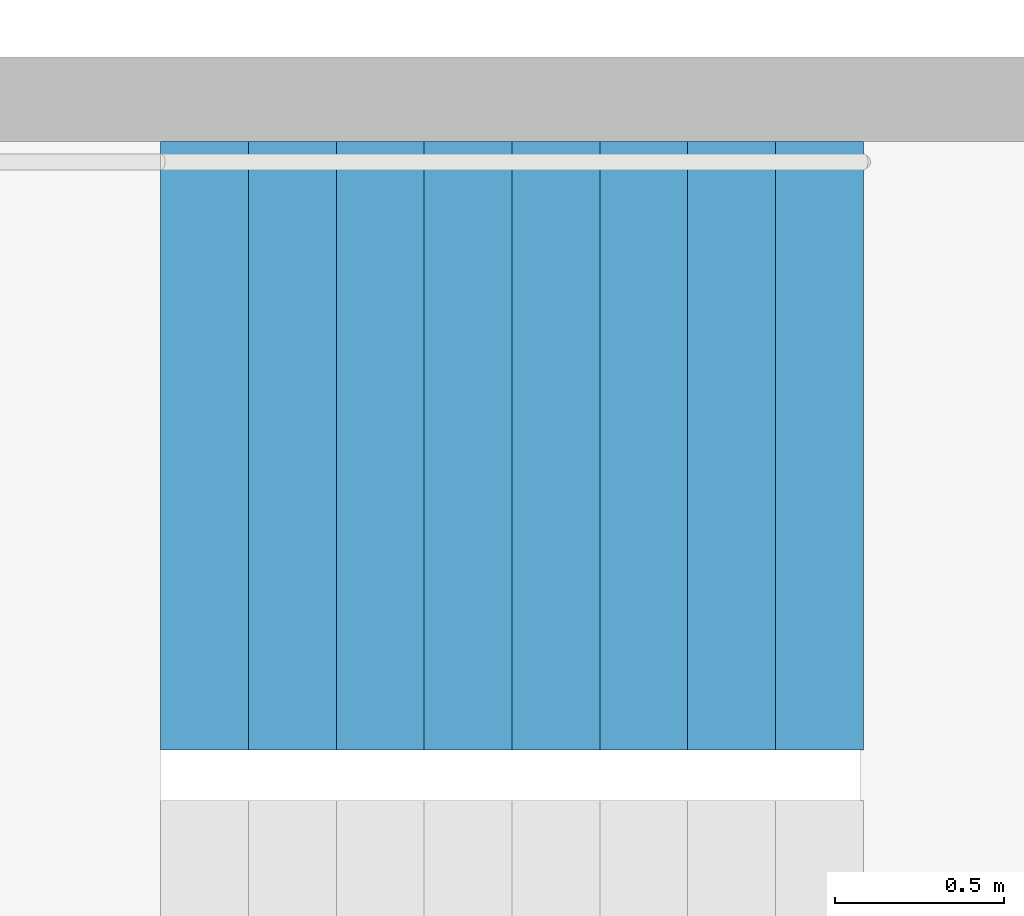
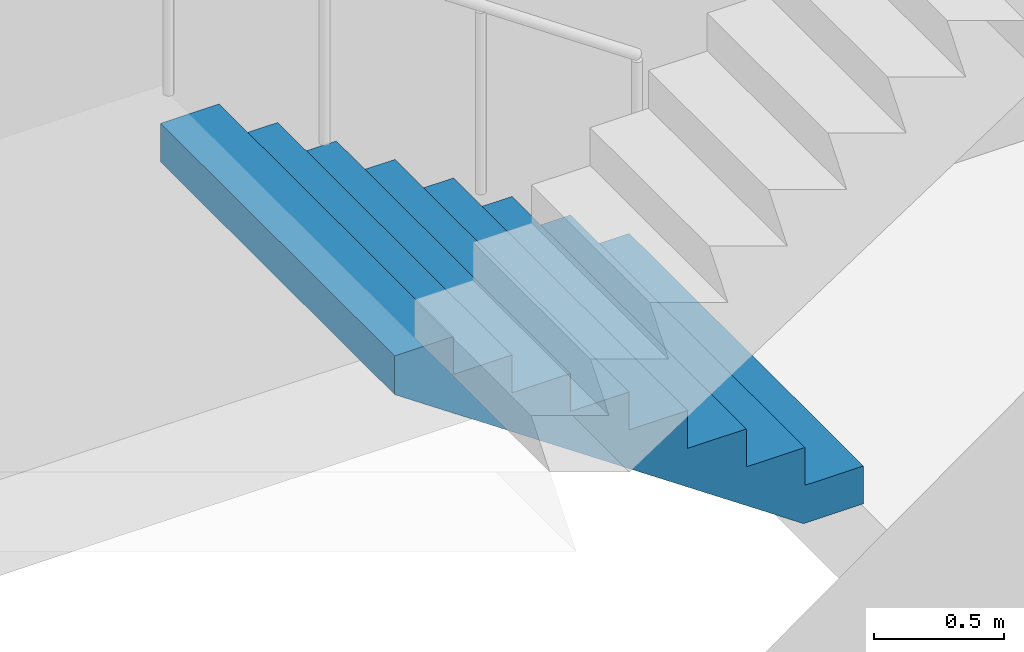
# One storey, part 20 of 32: 1 stair flight, 1 element without a shape of its own.
"""IFC4 building model written with IfcOpenShell, lengths in metres."""

from ifc_helpers import new_model, si_unit, direction, frame, origin, place, context, subcontext, project, spatial, triangles, material, type_object, element, aggregate, save


model = new_model("IFC4")

# Units and contexts
model_context = context("Model", 3, precision=1e-05, world=origin(), true_north=direction((0.0, 1.0)))
body_context = subcontext(model_context, "Body", "Model", "MODEL_VIEW")
ifc_project = project(units=[si_unit("LENGTHUNIT", "METRE"), si_unit("AREAUNIT", "SQUARE_METRE"), si_unit("VOLUMEUNIT", "CUBIC_METRE"), si_unit("PLANEANGLEUNIT", "RADIAN"), si_unit("MASSUNIT", "GRAM", prefix="KILO")], contexts=[model_context])

# Site, building, storey
site_placement = place(None, origin())
site = spatial("IfcSite", under=ifc_project, at=site_placement, CompositionType="ELEMENT")
building_placement = place(site_placement, origin())
building = spatial("IfcBuilding", under=site, at=building_placement, Name="Hakoniwa Tower and Hamabe Station Hall", CompositionType="ELEMENT")
storey_placement = place(building_placement, frame((0.0, 0.0, 150.199951171875)))
storey = spatial("IfcBuildingStorey", under=building, at=storey_placement, Name="L42", CompositionType="ELEMENT", Elevation=150.199951171875)

# Stair, stair flight
ifc_material_1 = material(Name="Concrete C40", Category="concrete")
stair_type = type_object("IfcStairType", Name="ESCAPE STAIR 1800", PredefinedType="HALF_TURN_STAIR", material=ifc_material_1)
stair_placement = place(storey_placement, origin())
stair = element("IfcStair", 1, at=stair_placement, inside=storey, type_object=stair_type, Name="Escape stair ST-2 L42", PredefinedType="HALF_TURN_STAIR")
ifc_material_2 = material(Name="Concrete C40", Category="concrete")
stair_flight_type = type_object("IfcStairFlightType", Name="STAIR FLIGHT 1800", PredefinedType="STRAIGHT", material=ifc_material_2)
stair_flight_placement = place(storey_placement, frame((-23.39990234375, -4.64990234375, 0.0), z_axis=(0.0, 0.0, 1.0), x_axis=(-1.0, 0.0, 0.0)))
stair_flight = element("IfcStairFlight", 2, at=stair_flight_placement, type_object=stair_flight_type, Name="ST-2 flight 1", NumberOfRisers=9, NumberOfTreads=8, PredefinedType="STRAIGHT", RiserHeight=0.177777778, TreadLength=0.26, context=body_context, shape_type="Tessellation", body=[
    triangles([(0.0, 0.89990234375, 0.0), (0.260009765625, 0.89990234375, 0.0), (0.265625, 0.89990234375, 0.0), (0.52001953125, 0.89990234375, 0.174072265625), (0.780029296875, 0.89990234375, 0.351806640625), (1.0400390625, 0.89990234375, 0.529541015625), (1.300048828125, 0.89990234375, 0.707275390625), (1.56005859375, 0.89990234375, 0.885009765625), (1.820068359375, 0.89990234375, 1.062744140625), (2.080078125, 0.89990234375, 1.24072265625), (2.080078125, 0.89990234375, 1.422119140625), (1.820068359375, 0.89990234375, 1.422119140625), (1.820068359375, 0.89990234375, 1.244384765625), (1.56005859375, 0.89990234375, 1.244384765625), (1.56005859375, 0.89990234375, 1.066650390625), (1.300048828125, 0.89990234375, 1.066650390625), (1.300048828125, 0.89990234375, 0.888916015625), (1.0400390625, 0.89990234375, 0.888916015625), (1.0400390625, 0.89990234375, 0.711181640625), (0.780029296875, 0.89990234375, 0.711181640625), (0.780029296875, 0.89990234375, 0.533447265625), (0.52001953125, 0.89990234375, 0.533447265625), (0.52001953125, 0.89990234375, 0.35546875), (0.265625, 0.89990234375, 0.35546875), (0.260009765625, 0.89990234375, 0.35546875), (0.260009765625, 0.89990234375, 0.177734375), (0.0, 0.89990234375, 0.177734375), (0.0, 0.06005859375, 0.0), (0.260009765625, 0.06005859375, 0.0), (0.265625, 0.06005859375, 0.0), (0.52001953125, 0.06005859375, 0.174072265625), (0.780029296875, 0.06005859375, 0.351806640625), (1.0400390625, 0.06005859375, 0.529541015625), (1.300048828125, 0.06005859375, 0.707275390625), (1.56005859375, 0.06005859375, 0.885009765625), (1.820068359375, 0.06005859375, 1.062744140625), (2.080078125, 0.06005859375, 1.24072265625), (2.080078125, 0.06005859375, 1.422119140625), (1.820068359375, 0.06005859375, 1.422119140625), (1.820068359375, 0.06005859375, 1.244384765625), (1.56005859375, 0.06005859375, 1.244384765625), (1.56005859375, 0.06005859375, 1.066650390625), (1.300048828125, 0.06005859375, 1.066650390625), (1.300048828125, 0.06005859375, 0.888916015625), (1.0400390625, 0.06005859375, 0.888916015625), (1.0400390625, 0.06005859375, 0.711181640625), (0.780029296875, 0.06005859375, 0.711181640625), (0.780029296875, 0.06005859375, 0.533447265625), (0.52001953125, 0.06005859375, 0.533447265625), (0.52001953125, 0.06005859375, 0.35546875), (0.265625, 0.06005859375, 0.35546875), (0.260009765625, 0.06005859375, 0.35546875), (0.260009765625, 0.06005859375, 0.177734375), (0.0, 0.06005859375, 0.177734375), (0.0, 0.04296875, 0.0), (0.260009765625, 0.04296875, 0.0), (0.265625, 0.04296875, 0.0), (0.52001953125, 0.04296875, 0.174072265625), (0.780029296875, 0.04296875, 0.351806640625), (1.0400390625, 0.04296875, 0.529541015625), (1.300048828125, 0.04296875, 0.707275390625), (1.56005859375, 0.04296875, 0.885009765625), (1.820068359375, 0.04296875, 1.062744140625), (2.080078125, 0.04296875, 1.24072265625), (2.080078125, 0.04296875, 1.422119140625), (1.820068359375, 0.04296875, 1.422119140625), (1.820068359375, 0.04296875, 1.244384765625), (1.56005859375, 0.04296875, 1.244384765625), (1.56005859375, 0.04296875, 1.066650390625), (1.300048828125, 0.04296875, 1.066650390625), (1.300048828125, 0.04296875, 0.888916015625), (1.0400390625, 0.04296875, 0.888916015625), (1.0400390625, 0.04296875, 0.711181640625), (0.780029296875, 0.04296875, 0.711181640625), (0.780029296875, 0.04296875, 0.533447265625), (0.52001953125, 0.04296875, 0.533447265625), (0.52001953125, 0.04296875, 0.35546875), (0.265625, 0.04296875, 0.35546875), (0.260009765625, 0.04296875, 0.35546875), (0.260009765625, 0.04296875, 0.177734375), (0.0, 0.04296875, 0.177734375), (0.0, 0.025634765625, 0.0), (0.260009765625, 0.025634765625, 0.0), (0.265625, 0.025634765625, 0.0), (0.52001953125, 0.025634765625, 0.174072265625), (0.780029296875, 0.025634765625, 0.351806640625), (1.0400390625, 0.025634765625, 0.529541015625), (1.300048828125, 0.025634765625, 0.707275390625), (1.56005859375, 0.025634765625, 0.885009765625), (1.820068359375, 0.025634765625, 1.062744140625), (2.080078125, 0.025634765625, 1.24072265625), (2.080078125, 0.025634765625, 1.422119140625), (1.820068359375, 0.025634765625, 1.422119140625), (1.820068359375, 0.025634765625, 1.244384765625), (1.56005859375, 0.025634765625, 1.244384765625), (1.56005859375, 0.025634765625, 1.066650390625), (1.300048828125, 0.025634765625, 1.066650390625), (1.300048828125, 0.025634765625, 0.888916015625), (1.0400390625, 0.025634765625, 0.888916015625), (1.0400390625, 0.025634765625, 0.711181640625), (0.780029296875, 0.025634765625, 0.711181640625), (0.780029296875, 0.025634765625, 0.533447265625), (0.52001953125, 0.025634765625, 0.533447265625), (0.52001953125, 0.025634765625, 0.35546875), (0.265625, 0.025634765625, 0.35546875), (0.260009765625, 0.025634765625, 0.35546875), (0.260009765625, 0.025634765625, 0.177734375), (0.0, 0.025634765625, 0.177734375), (0.0, 0.008544921875, 0.0), (0.260009765625, 0.008544921875, 0.0), (0.265625, 0.008544921875, 0.0), (0.52001953125, 0.008544921875, 0.174072265625), (0.780029296875, 0.008544921875, 0.351806640625), (1.0400390625, 0.008544921875, 0.529541015625), (1.300048828125, 0.008544921875, 0.707275390625), (1.56005859375, 0.008544921875, 0.885009765625), (1.820068359375, 0.008544921875, 1.062744140625), (2.080078125, 0.008544921875, 1.24072265625), (2.080078125, 0.008544921875, 1.422119140625), (1.820068359375, 0.008544921875, 1.422119140625), (1.820068359375, 0.008544921875, 1.244384765625), (1.56005859375, 0.008544921875, 1.244384765625), (1.56005859375, 0.008544921875, 1.066650390625), (1.300048828125, 0.008544921875, 1.066650390625), (1.300048828125, 0.008544921875, 0.888916015625), (1.0400390625, 0.008544921875, 0.888916015625), (1.0400390625, 0.008544921875, 0.711181640625), (0.780029296875, 0.008544921875, 0.711181640625), (0.780029296875, 0.008544921875, 0.533447265625), (0.52001953125, 0.008544921875, 0.533447265625), (0.52001953125, 0.008544921875, 0.35546875), (0.265625, 0.008544921875, 0.35546875), (0.260009765625, 0.008544921875, 0.35546875), (0.260009765625, 0.008544921875, 0.177734375), (0.0, 0.008544921875, 0.177734375), (0.0, -0.008544921875, 0.0), (0.260009765625, -0.008544921875, 0.0), (0.265625, -0.008544921875, 0.0), (0.52001953125, -0.008544921875, 0.174072265625), (0.780029296875, -0.008544921875, 0.351806640625), (1.0400390625, -0.008544921875, 0.529541015625), (1.300048828125, -0.008544921875, 0.707275390625), (1.56005859375, -0.008544921875, 0.885009765625), (1.820068359375, -0.008544921875, 1.062744140625), (2.080078125, -0.008544921875, 1.24072265625), (2.080078125, -0.008544921875, 1.422119140625), (1.820068359375, -0.008544921875, 1.422119140625), (1.820068359375, -0.008544921875, 1.244384765625), (1.56005859375, -0.008544921875, 1.244384765625), (1.56005859375, -0.008544921875, 1.066650390625), (1.300048828125, -0.008544921875, 1.066650390625), (1.300048828125, -0.008544921875, 0.888916015625), (1.0400390625, -0.008544921875, 0.888916015625), (1.0400390625, -0.008544921875, 0.711181640625), (0.780029296875, -0.008544921875, 0.711181640625), (0.780029296875, -0.008544921875, 0.533447265625), (0.52001953125, -0.008544921875, 0.533447265625), (0.52001953125, -0.008544921875, 0.35546875), (0.265625, -0.008544921875, 0.35546875), (0.260009765625, -0.008544921875, 0.35546875), (0.260009765625, -0.008544921875, 0.177734375), (0.0, -0.008544921875, 0.177734375), (0.0, -0.025634765625, 0.0), (0.260009765625, -0.025634765625, 0.0), (0.265625, -0.025634765625, 0.0), (0.52001953125, -0.025634765625, 0.174072265625), (0.780029296875, -0.025634765625, 0.351806640625), (1.0400390625, -0.025634765625, 0.529541015625), (1.300048828125, -0.025634765625, 0.707275390625), (1.56005859375, -0.025634765625, 0.885009765625), (1.820068359375, -0.025634765625, 1.062744140625), (2.080078125, -0.025634765625, 1.24072265625), (2.080078125, -0.025634765625, 1.422119140625), (1.820068359375, -0.025634765625, 1.422119140625), (1.820068359375, -0.025634765625, 1.244384765625), (1.56005859375, -0.025634765625, 1.244384765625), (1.56005859375, -0.025634765625, 1.066650390625), (1.300048828125, -0.025634765625, 1.066650390625), (1.300048828125, -0.025634765625, 0.888916015625), (1.0400390625, -0.025634765625, 0.888916015625), (1.0400390625, -0.025634765625, 0.711181640625), (0.780029296875, -0.025634765625, 0.711181640625), (0.780029296875, -0.025634765625, 0.533447265625), (0.52001953125, -0.025634765625, 0.533447265625), (0.52001953125, -0.025634765625, 0.35546875), (0.265625, -0.025634765625, 0.35546875), (0.260009765625, -0.025634765625, 0.35546875), (0.260009765625, -0.025634765625, 0.177734375), (0.0, -0.025634765625, 0.177734375), (0.0, -0.04296875, 0.0), (0.260009765625, -0.04296875, 0.0), (0.265625, -0.04296875, 0.0), (0.52001953125, -0.04296875, 0.174072265625), (0.780029296875, -0.04296875, 0.351806640625), (1.0400390625, -0.04296875, 0.529541015625), (1.300048828125, -0.04296875, 0.707275390625), (1.56005859375, -0.04296875, 0.885009765625), (1.820068359375, -0.04296875, 1.062744140625), (2.080078125, -0.04296875, 1.24072265625), (2.080078125, -0.04296875, 1.422119140625), (1.820068359375, -0.04296875, 1.422119140625), (1.820068359375, -0.04296875, 1.244384765625), (1.56005859375, -0.04296875, 1.244384765625), (1.56005859375, -0.04296875, 1.066650390625), (1.300048828125, -0.04296875, 1.066650390625), (1.300048828125, -0.04296875, 0.888916015625), (1.0400390625, -0.04296875, 0.888916015625), (1.0400390625, -0.04296875, 0.711181640625), (0.780029296875, -0.04296875, 0.711181640625), (0.780029296875, -0.04296875, 0.533447265625), (0.52001953125, -0.04296875, 0.533447265625), (0.52001953125, -0.04296875, 0.35546875), (0.265625, -0.04296875, 0.35546875), (0.260009765625, -0.04296875, 0.35546875), (0.260009765625, -0.04296875, 0.177734375), (0.0, -0.04296875, 0.177734375), (0.0, -0.06005859375, 0.0), (0.260009765625, -0.06005859375, 0.0), (0.265625, -0.06005859375, 0.0), (0.52001953125, -0.06005859375, 0.174072265625), (0.780029296875, -0.06005859375, 0.351806640625), (1.0400390625, -0.06005859375, 0.529541015625), (1.300048828125, -0.06005859375, 0.707275390625), (1.56005859375, -0.06005859375, 0.885009765625), (1.820068359375, -0.06005859375, 1.062744140625), (2.080078125, -0.06005859375, 1.24072265625), (2.080078125, -0.06005859375, 1.422119140625), (1.820068359375, -0.06005859375, 1.422119140625), (1.820068359375, -0.06005859375, 1.244384765625), (1.56005859375, -0.06005859375, 1.244384765625), (1.56005859375, -0.06005859375, 1.066650390625), (1.300048828125, -0.06005859375, 1.066650390625), (1.300048828125, -0.06005859375, 0.888916015625), (1.0400390625, -0.06005859375, 0.888916015625), (1.0400390625, -0.06005859375, 0.711181640625), (0.780029296875, -0.06005859375, 0.711181640625), (0.780029296875, -0.06005859375, 0.533447265625), (0.52001953125, -0.06005859375, 0.533447265625), (0.52001953125, -0.06005859375, 0.35546875), (0.265625, -0.06005859375, 0.35546875), (0.260009765625, -0.06005859375, 0.35546875), (0.260009765625, -0.06005859375, 0.177734375), (0.0, -0.06005859375, 0.177734375), (0.0, -0.89990234375, 0.0), (0.260009765625, -0.89990234375, 0.0), (0.265625, -0.89990234375, 0.0), (0.52001953125, -0.89990234375, 0.174072265625), (0.780029296875, -0.89990234375, 0.351806640625), (1.0400390625, -0.89990234375, 0.529541015625), (1.300048828125, -0.89990234375, 0.707275390625), (1.56005859375, -0.89990234375, 0.885009765625), (1.820068359375, -0.89990234375, 1.062744140625), (2.080078125, -0.89990234375, 1.24072265625), (2.080078125, -0.89990234375, 1.422119140625), (1.820068359375, -0.89990234375, 1.422119140625), (1.820068359375, -0.89990234375, 1.244384765625), (1.56005859375, -0.89990234375, 1.244384765625), (1.56005859375, -0.89990234375, 1.066650390625), (1.300048828125, -0.89990234375, 1.066650390625), (1.300048828125, -0.89990234375, 0.888916015625), (1.0400390625, -0.89990234375, 0.888916015625), (1.0400390625, -0.89990234375, 0.711181640625), (0.780029296875, -0.89990234375, 0.711181640625), (0.780029296875, -0.89990234375, 0.533447265625), (0.52001953125, -0.89990234375, 0.533447265625), (0.52001953125, -0.89990234375, 0.35546875), (0.265625, -0.89990234375, 0.35546875), (0.260009765625, -0.89990234375, 0.35546875), (0.260009765625, -0.89990234375, 0.177734375), (0.0, -0.89990234375, 0.177734375)], [[2, 27, 26], [245, 269, 270], [2, 1, 27], [245, 270, 244], [3, 25, 24], [246, 267, 268], [3, 26, 25], [246, 268, 269], [3, 2, 26], [246, 269, 245], [4, 24, 23], [247, 266, 267], [4, 3, 24], [247, 267, 246], [5, 22, 21], [248, 264, 265], [5, 23, 22], [248, 265, 266], [5, 4, 23], [248, 266, 247], [6, 20, 19], [249, 262, 263], [6, 21, 20], [249, 263, 264], [6, 5, 21], [249, 264, 248], [7, 18, 17], [250, 260, 261], [7, 19, 18], [250, 261, 262], [7, 6, 19], [250, 262, 249], [8, 16, 15], [251, 258, 259], [8, 17, 16], [251, 259, 260], [8, 7, 17], [251, 260, 250], [9, 14, 13], [252, 256, 257], [9, 15, 14], [252, 257, 258], [9, 8, 15], [252, 258, 251], [10, 12, 11], [253, 254, 255], [10, 13, 12], [253, 255, 256], [10, 9, 13], [253, 256, 252], [1, 2, 29], [1, 29, 28], [28, 29, 56], [28, 56, 55], [55, 56, 83], [55, 83, 82], [82, 83, 110], [82, 110, 109], [109, 110, 137], [109, 137, 136], [136, 137, 164], [136, 164, 163], [163, 164, 191], [163, 191, 190], [190, 191, 218], [190, 218, 217], [217, 218, 245], [217, 245, 244], [2, 3, 30], [2, 30, 29], [29, 30, 57], [29, 57, 56], [56, 57, 84], [56, 84, 83], [83, 84, 111], [83, 111, 110], [110, 111, 138], [110, 138, 137], [137, 138, 165], [137, 165, 164], [164, 165, 192], [164, 192, 191], [191, 192, 219], [191, 219, 218], [218, 219, 246], [218, 246, 245], [3, 4, 31], [3, 31, 30], [30, 31, 58], [30, 58, 57], [57, 58, 85], [57, 85, 84], [84, 85, 112], [84, 112, 111], [111, 112, 139], [111, 139, 138], [138, 139, 166], [138, 166, 165], [165, 166, 193], [165, 193, 192], [192, 193, 220], [192, 220, 219], [219, 220, 247], [219, 247, 246], [4, 5, 32], [4, 32, 31], [31, 32, 59], [31, 59, 58], [58, 59, 86], [58, 86, 85], [85, 86, 113], [85, 113, 112], [112, 113, 140], [112, 140, 139], [139, 140, 167], [139, 167, 166], [166, 167, 194], [166, 194, 193], [193, 194, 221], [193, 221, 220], [220, 221, 248], [220, 248, 247], [5, 6, 33], [5, 33, 32], [32, 33, 60], [32, 60, 59], [59, 60, 87], [59, 87, 86], [86, 87, 114], [86, 114, 113], [113, 114, 141], [113, 141, 140], [140, 141, 168], [140, 168, 167], [167, 168, 195], [167, 195, 194], [194, 195, 222], [194, 222, 221], [221, 222, 249], [221, 249, 248], [6, 7, 34], [6, 34, 33], [33, 34, 61], [33, 61, 60], [60, 61, 88], [60, 88, 87], [87, 88, 115], [87, 115, 114], [114, 115, 142], [114, 142, 141], [141, 142, 169], [141, 169, 168], [168, 169, 196], [168, 196, 195], [195, 196, 223], [195, 223, 222], [222, 223, 250], [222, 250, 249], [7, 8, 35], [7, 35, 34], [34, 35, 62], [34, 62, 61], [61, 62, 89], [61, 89, 88], [88, 89, 116], [88, 116, 115], [115, 116, 143], [115, 143, 142], [142, 143, 170], [142, 170, 169], [169, 170, 197], [169, 197, 196], [196, 197, 224], [196, 224, 223], [223, 224, 251], [223, 251, 250], [8, 9, 36], [8, 36, 35], [35, 36, 63], [35, 63, 62], [62, 63, 90], [62, 90, 89], [89, 90, 117], [89, 117, 116], [116, 117, 144], [116, 144, 143], [143, 144, 171], [143, 171, 170], [170, 171, 198], [170, 198, 197], [197, 198, 225], [197, 225, 224], [224, 225, 252], [224, 252, 251], [9, 10, 37], [9, 37, 36], [36, 37, 64], [36, 64, 63], [63, 64, 91], [63, 91, 90], [90, 91, 118], [90, 118, 117], [117, 118, 145], [117, 145, 144], [144, 145, 172], [144, 172, 171], [171, 172, 199], [171, 199, 198], [198, 199, 226], [198, 226, 225], [225, 226, 253], [225, 253, 252], [10, 11, 38], [10, 38, 37], [37, 38, 65], [37, 65, 64], [64, 65, 92], [64, 92, 91], [91, 92, 119], [91, 119, 118], [118, 119, 146], [118, 146, 145], [145, 146, 173], [145, 173, 172], [172, 173, 200], [172, 200, 199], [199, 200, 227], [199, 227, 226], [226, 227, 254], [226, 254, 253], [11, 12, 39], [11, 39, 38], [38, 39, 66], [38, 66, 65], [65, 66, 93], [65, 93, 92], [92, 93, 120], [92, 120, 119], [119, 120, 147], [119, 147, 146], [146, 147, 174], [146, 174, 173], [173, 174, 201], [173, 201, 200], [200, 201, 228], [200, 228, 227], [227, 228, 255], [227, 255, 254], [12, 13, 40], [12, 40, 39], [39, 40, 67], [39, 67, 66], [66, 67, 94], [66, 94, 93], [93, 94, 121], [93, 121, 120], [120, 121, 148], [120, 148, 147], [147, 148, 175], [147, 175, 174], [174, 175, 202], [174, 202, 201], [201, 202, 229], [201, 229, 228], [228, 229, 256], [228, 256, 255], [13, 14, 41], [13, 41, 40], [40, 41, 68], [40, 68, 67], [67, 68, 95], [67, 95, 94], [94, 95, 122], [94, 122, 121], [121, 122, 149], [121, 149, 148], [148, 149, 176], [148, 176, 175], [175, 176, 203], [175, 203, 202], [202, 203, 230], [202, 230, 229], [229, 230, 257], [229, 257, 256], [14, 15, 42], [14, 42, 41], [41, 42, 69], [41, 69, 68], [68, 69, 96], [68, 96, 95], [95, 96, 123], [95, 123, 122], [122, 123, 150], [122, 150, 149], [149, 150, 177], [149, 177, 176], [176, 177, 204], [176, 204, 203], [203, 204, 231], [203, 231, 230], [230, 231, 258], [230, 258, 257], [15, 16, 43], [15, 43, 42], [42, 43, 70], [42, 70, 69], [69, 70, 97], [69, 97, 96], [96, 97, 124], [96, 124, 123], [123, 124, 151], [123, 151, 150], [150, 151, 178], [150, 178, 177], [177, 178, 205], [177, 205, 204], [204, 205, 232], [204, 232, 231], [231, 232, 259], [231, 259, 258], [16, 17, 44], [16, 44, 43], [43, 44, 71], [43, 71, 70], [70, 71, 98], [70, 98, 97], [97, 98, 125], [97, 125, 124], [124, 125, 152], [124, 152, 151], [151, 152, 179], [151, 179, 178], [178, 179, 206], [178, 206, 205], [205, 206, 233], [205, 233, 232], [232, 233, 260], [232, 260, 259], [17, 18, 45], [17, 45, 44], [44, 45, 72], [44, 72, 71], [71, 72, 99], [71, 99, 98], [98, 99, 126], [98, 126, 125], [125, 126, 153], [125, 153, 152], [152, 153, 180], [152, 180, 179], [179, 180, 207], [179, 207, 206], [206, 207, 234], [206, 234, 233], [233, 234, 261], [233, 261, 260], [18, 19, 46], [18, 46, 45], [45, 46, 73], [45, 73, 72], [72, 73, 100], [72, 100, 99], [99, 100, 127], [99, 127, 126], [126, 127, 154], [126, 154, 153], [153, 154, 181], [153, 181, 180], [180, 181, 208], [180, 208, 207], [207, 208, 235], [207, 235, 234], [234, 235, 262], [234, 262, 261], [19, 20, 47], [19, 47, 46], [46, 47, 74], [46, 74, 73], [73, 74, 101], [73, 101, 100], [100, 101, 128], [100, 128, 127], [127, 128, 155], [127, 155, 154], [154, 155, 182], [154, 182, 181], [181, 182, 209], [181, 209, 208], [208, 209, 236], [208, 236, 235], [235, 236, 263], [235, 263, 262], [20, 21, 48], [20, 48, 47], [47, 48, 75], [47, 75, 74], [74, 75, 102], [74, 102, 101], [101, 102, 129], [101, 129, 128], [128, 129, 156], [128, 156, 155], [155, 156, 183], [155, 183, 182], [182, 183, 210], [182, 210, 209], [209, 210, 237], [209, 237, 236], [236, 237, 264], [236, 264, 263], [21, 22, 49], [21, 49, 48], [48, 49, 76], [48, 76, 75], [75, 76, 103], [75, 103, 102], [102, 103, 130], [102, 130, 129], [129, 130, 157], [129, 157, 156], [156, 157, 184], [156, 184, 183], [183, 184, 211], [183, 211, 210], [210, 211, 238], [210, 238, 237], [237, 238, 265], [237, 265, 264], [22, 23, 50], [22, 50, 49], [49, 50, 77], [49, 77, 76], [76, 77, 104], [76, 104, 103], [103, 104, 131], [103, 131, 130], [130, 131, 158], [130, 158, 157], [157, 158, 185], [157, 185, 184], [184, 185, 212], [184, 212, 211], [211, 212, 239], [211, 239, 238], [238, 239, 266], [238, 266, 265], [23, 24, 51], [23, 51, 50], [50, 51, 78], [50, 78, 77], [77, 78, 105], [77, 105, 104], [104, 105, 132], [104, 132, 131], [131, 132, 159], [131, 159, 158], [158, 159, 186], [158, 186, 185], [185, 186, 213], [185, 213, 212], [212, 213, 240], [212, 240, 239], [239, 240, 267], [239, 267, 266], [24, 25, 52], [24, 52, 51], [51, 52, 79], [51, 79, 78], [78, 79, 106], [78, 106, 105], [105, 106, 133], [105, 133, 132], [132, 133, 160], [132, 160, 159], [159, 160, 187], [159, 187, 186], [186, 187, 214], [186, 214, 213], [213, 214, 241], [213, 241, 240], [240, 241, 268], [240, 268, 267], [25, 26, 53], [25, 53, 52], [52, 53, 80], [52, 80, 79], [79, 80, 107], [79, 107, 106], [106, 107, 134], [106, 134, 133], [133, 134, 161], [133, 161, 160], [160, 161, 188], [160, 188, 187], [187, 188, 215], [187, 215, 214], [214, 215, 242], [214, 242, 241], [241, 242, 269], [241, 269, 268], [26, 27, 54], [26, 54, 53], [53, 54, 81], [53, 81, 80], [80, 81, 108], [80, 108, 107], [107, 108, 135], [107, 135, 134], [134, 135, 162], [134, 162, 161], [161, 162, 189], [161, 189, 188], [188, 189, 216], [188, 216, 215], [215, 216, 243], [215, 243, 242], [242, 243, 270], [242, 270, 269], [27, 1, 28], [27, 28, 54], [54, 28, 55], [54, 55, 81], [81, 55, 82], [81, 82, 108], [108, 82, 109], [108, 109, 135], [135, 109, 136], [135, 136, 162], [162, 136, 163], [162, 163, 189], [189, 163, 190], [189, 190, 216], [216, 190, 217], [216, 217, 243], [243, 217, 244], [243, 244, 270]], closed=True),
])
aggregate(stair, [stair_flight])

save(model, "model.ifc")
